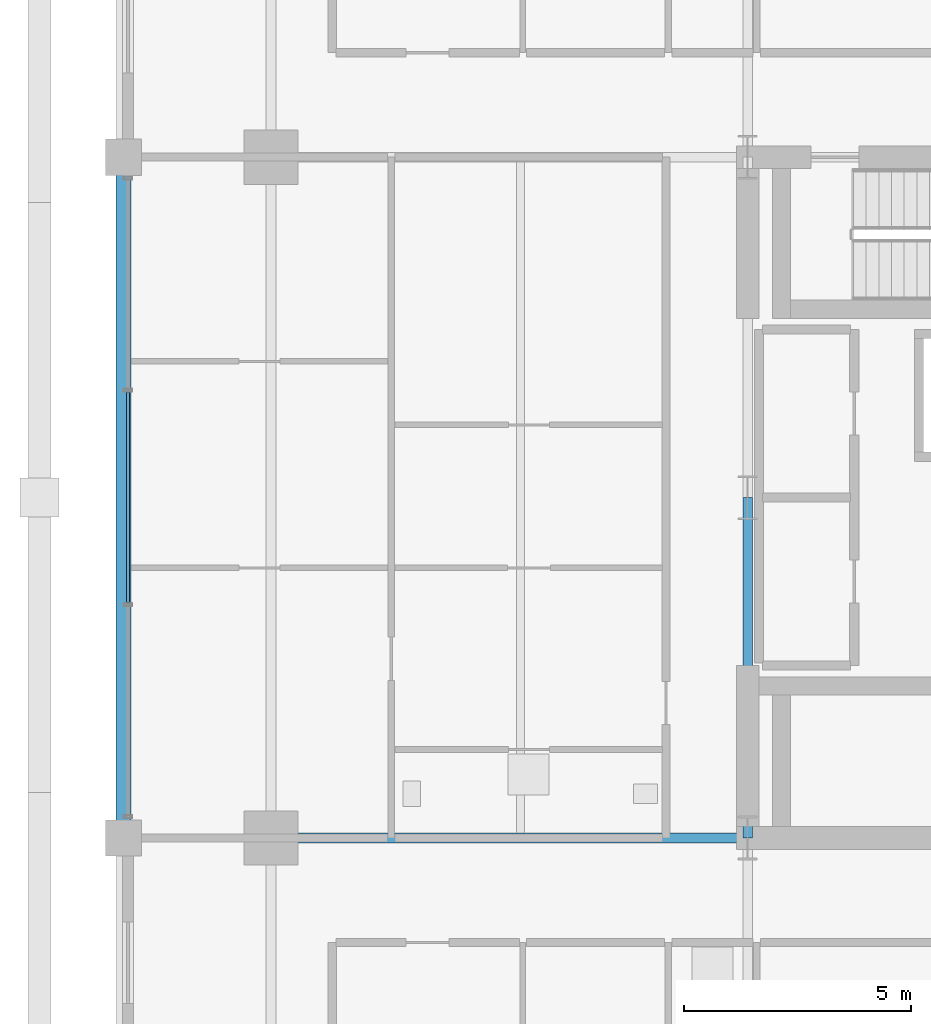
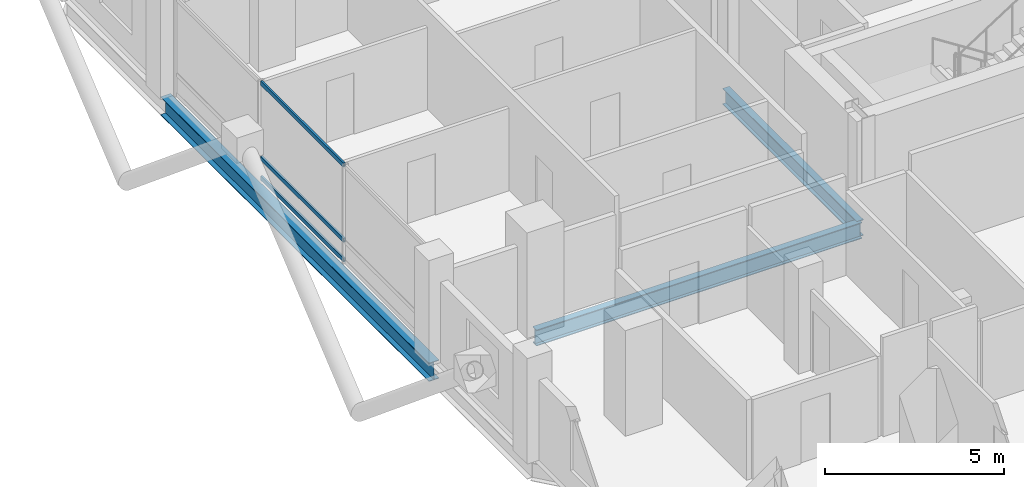
# One storey, part 5 of 23: 3 beams, 3 members, 1 element without a shape of its own.
"""IFC4 building model written with IfcOpenShell, lengths in metres."""

from ifc_helpers import new_model, si_unit, direction, frame, origin, origin_2d, place, context, subcontext, project, spatial, hollow_rectangle, i_section, extrude, material, layer, layer_set, material_profile, profile_set, type_object, element, aggregate, save


model = new_model("IFC4")

# Units and contexts
model_context = context("Model", 3, precision=1e-05, world=origin(), true_north=direction((0.0, 1.0)))
body_context = subcontext(model_context, "Body", "Model", "MODEL_VIEW")
ifc_project = project(units=[si_unit("LENGTHUNIT", "METRE"), si_unit("AREAUNIT", "SQUARE_METRE"), si_unit("VOLUMEUNIT", "CUBIC_METRE"), si_unit("PLANEANGLEUNIT", "RADIAN"), si_unit("MASSUNIT", "GRAM", prefix="KILO")], contexts=[model_context])

# Site, building, storey
site_placement = place(None, origin())
site = spatial("IfcSite", under=ifc_project, at=site_placement, CompositionType="ELEMENT")
building_placement = place(site_placement, origin())
building = spatial("IfcBuilding", under=site, at=building_placement, Name="Barlavira Tower and Art Museum", CompositionType="ELEMENT")
storey_placement = place(building_placement, frame((0.0, 0.0, 140.39990234375)))
storey = spatial("IfcBuildingStorey", under=building, at=storey_placement, Name="L35", CompositionType="ELEMENT", Elevation=140.39990234375)

# Curtain wall, members
ifc_material_1 = material(Name="Low-iron coastal laminated glass", Category="glass")
ifc_layer = layer(ifc_material_1, 0.18994140625, Name="Low-iron coastal laminated glass")
ifc_layer_set = layer_set([ifc_layer], Name="Low-iron coastal laminated glass")
curtain_wall_type = type_object("IfcCurtainWallType", Name="Pale-Metal Unitised Curtain Wall Zone 2", PredefinedType="NOTDEFINED", material=ifc_layer_set)
curtain_wall_placement = place(storey_placement, origin())
curtain_wall = element("IfcCurtainWall", 1, at=curtain_wall_placement, inside=storey, type_object=curtain_wall_type, Name="L35 Curtain Wall CW2-L35-W-B3", PredefinedType="NOTDEFINED")
ifc_material_2 = material(Name="Pale anodised aluminium", Category="aluminium")
ifc_material_profile_1 = material_profile(ifc_material_2, hollow_rectangle(XDim=0.06494140625, YDim=0.139892578125, WallThickness=0.00390625, at=origin_2d()), Name="ALU-TRAN 65x140x4")
ifc_profile_set_1 = profile_set([ifc_material_profile_1], Name="Pale anodised aluminium")
member_type = type_object("IfcMemberType", Name="Curtain Wall Pale-Metal Transom 65x140", PredefinedType="USERDEFINED", material=ifc_profile_set_1)
member_1_placement = place(storey_placement, frame((-20.14990234375, 2.31494140625, 0.070068359375), z_axis=(0.0, -1.0, 0.0), x_axis=(1.0, 0.0, 0.0)))
member_1 = element("IfcMember", 2, at=member_1_placement, type_object=member_type, Name="CW2-L35-W-B3 Transom 1.1", ObjectType="TRANSOM", PredefinedType="USERDEFINED", context=body_context, shape_type="SweptSolid", body=[
    extrude(hollow_rectangle(XDim=0.06494140625, YDim=0.139892578125, WallThickness=0.00390625, at=origin_2d()), origin(), (0.0, 0.0, 1.0), 4.6298828125),
])
member_2_placement = place(storey_placement, frame((-20.14990234375, 2.31494140625, 0.744140625), z_axis=(0.0, -1.0, 0.0), x_axis=(1.0, 0.0, 0.0)))
member_2 = element("IfcMember", 3, at=member_2_placement, type_object=member_type, Name="CW2-L35-W-B3 Transom 1.2", ObjectType="TRANSOM", PredefinedType="USERDEFINED", context=body_context, shape_type="SweptSolid", body=[
    extrude(hollow_rectangle(XDim=0.06494140625, YDim=0.139892578125, WallThickness=0.00390625, at=origin_2d()), origin(), (0.0, 0.0, 1.0), 4.6298828125),
])
member_3_placement = place(storey_placement, frame((-20.14990234375, 2.31494140625, 3.31005859375), z_axis=(0.0, -1.0, 0.0), x_axis=(1.0, 0.0, 0.0)))
member_3 = element("IfcMember", 4, at=member_3_placement, type_object=member_type, Name="CW2-L35-W-B3 Transom 1.3", ObjectType="TRANSOM", PredefinedType="USERDEFINED", context=body_context, shape_type="SweptSolid", body=[
    extrude(hollow_rectangle(XDim=0.06494140625, YDim=0.139892578125, WallThickness=0.00390625, at=origin_2d()), origin(), (0.0, 0.0, 1.0), 4.6298828125),
])
aggregate(curtain_wall, [member_1, member_2, member_3])

# Beams
ifc_material_3 = material(Name="Steel S355", Category="steel")
ifc_material_profile_2 = material_profile(ifc_material_3, i_section(OverallWidth=0.327880859375, OverallDepth=0.62890625, WebThickness=0.013916015625, FlangeThickness=0.021484375, at=origin_2d()), Name="W610x174.0")
ifc_profile_set_2 = profile_set([ifc_material_profile_2], Name="Steel S355")
beam_type_1 = type_object("IfcBeamType", Name="Perimeter Spandrel Edge Beam W610x174 Steel S355", PredefinedType="SPANDREL", material=ifc_profile_set_2)
beam_1_placement = place(storey_placement, frame((-20.25, -7.5, -0.534423828125), z_axis=(0.0, 1.0, 0.0), x_axis=(-1.0, 0.0, 0.0)))
element("IfcBeam", 5, at=beam_1_placement, inside=storey, type_object=beam_type_1, Name="L35 Spandrel 14", PredefinedType="SPANDREL", context=body_context, shape_type="SweptSolid", body=[
    extrude(i_section(OverallWidth=0.327880859375, OverallDepth=0.62890625, WebThickness=0.013916015625, FlangeThickness=0.021484375, at=origin_2d()), origin(), (0.0, 0.0, 1.0), 15.0),
])
ifc_material_profile_3 = material_profile(ifc_material_3, i_section(OverallWidth=0.214111328125, OverallDepth=0.549072265625, WebThickness=0.0146484375, FlangeThickness=0.023681640625, at=origin_2d()), Name="W530x138.0")
ifc_profile_set_3 = profile_set([ifc_material_profile_3], Name="Steel S355")
beam_type_2 = type_object("IfcBeamType", Name="Zone 1 Primary Floor Girder W530x138 Steel S355", PredefinedType="BEAM", material=ifc_profile_set_3)
beam_2_placement = place(storey_placement, frame((-6.5, -7.5, -0.494384765625), z_axis=(0.0, 1.0, 0.0), x_axis=(-1.0, 0.0, 0.0)))
element("IfcBeam", 6, at=beam_2_placement, inside=storey, type_object=beam_type_2, Name="L35 Girder C-W1", PredefinedType="BEAM", context=body_context, shape_type="SweptSolid", body=[
    extrude(i_section(OverallWidth=0.214111328125, OverallDepth=0.549072265625, WebThickness=0.0146484375, FlangeThickness=0.023681640625, at=origin_2d()), origin(), (0.0, 0.0, 1.0), 7.5),
])
beam_3_placement = place(storey_placement, frame((-17.0, -7.5, -0.494384765625), z_axis=(1.0, 0.0, 0.0), x_axis=(0.0, 1.0, 0.0)))
element("IfcBeam", 7, at=beam_3_placement, inside=storey, type_object=beam_type_2, Name="L35 Girder R-W1", PredefinedType="BEAM", context=body_context, shape_type="SweptSolid", body=[
    extrude(i_section(OverallWidth=0.214111328125, OverallDepth=0.549072265625, WebThickness=0.0146484375, FlangeThickness=0.023681640625, at=origin_2d()), origin(), (0.0, 0.0, 1.0), 10.5),
])

save(model, "model.ifc")
